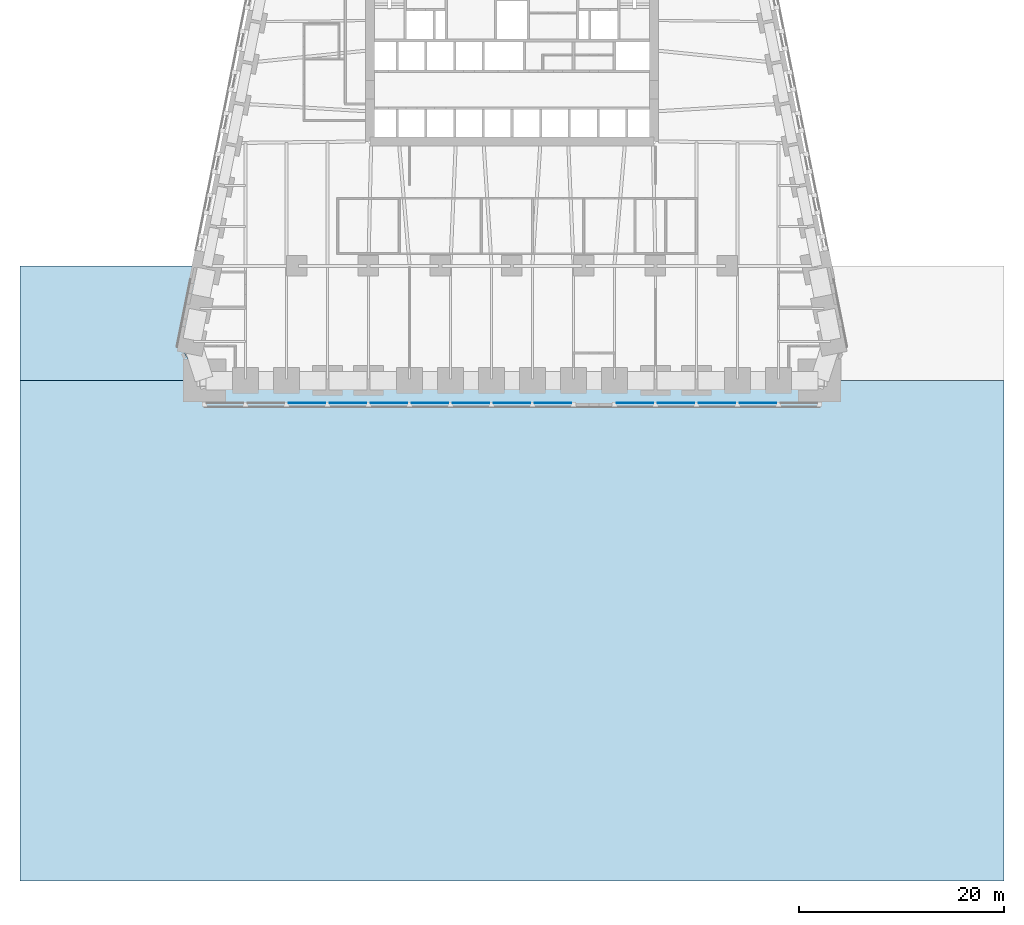
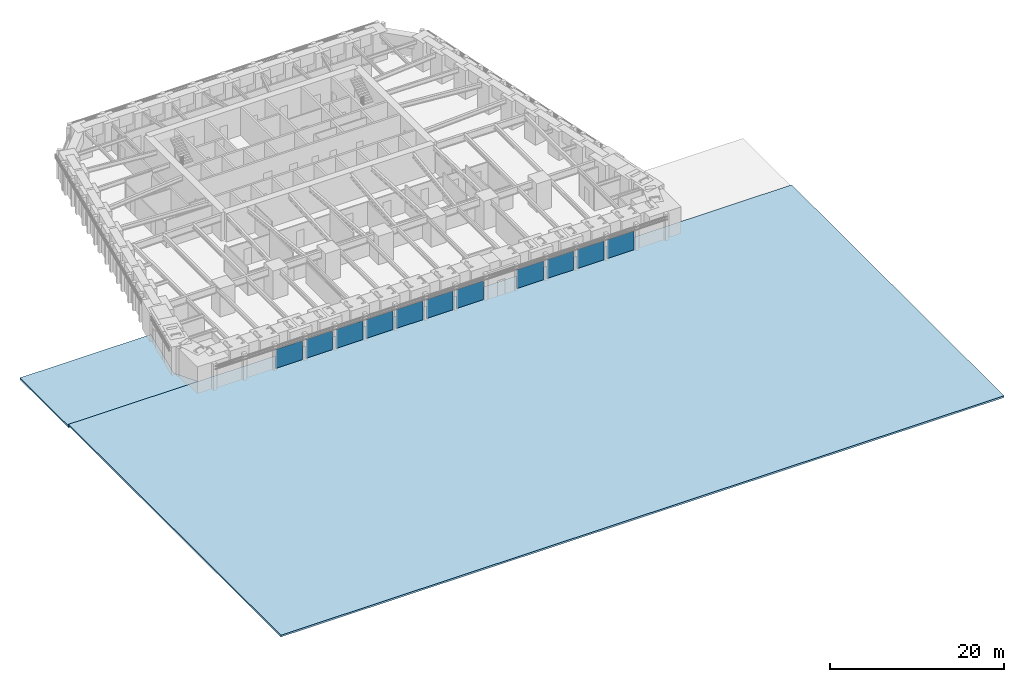
# One storey, part 6 of 18: 11 plates, 2 slabs, 2 elements without a shape of their own.
"""IFC4 building model written with IfcOpenShell, lengths in metres."""

from ifc_helpers import new_model, si_unit, direction, frame, origin, origin_2d, place, context, subcontext, project, spatial, polyline, rectangle, outline, extrude, material, layer, layer_set, type_object, element, aggregate, save


model = new_model("IFC4")

# Units and contexts
model_context = context("Model", 3, precision=1e-05, world=origin(), true_north=direction((0.0, 1.0)))
body_context = subcontext(model_context, "Body", "Model", "MODEL_VIEW")
ifc_project = project(units=[si_unit("LENGTHUNIT", "METRE"), si_unit("AREAUNIT", "SQUARE_METRE"), si_unit("VOLUMEUNIT", "CUBIC_METRE"), si_unit("PLANEANGLEUNIT", "RADIAN"), si_unit("MASSUNIT", "GRAM", prefix="KILO")], contexts=[model_context])

# Site, building, storey
site_placement = place(None, origin())
site = spatial("IfcSite", under=ifc_project, at=site_placement, CompositionType="ELEMENT")
building_placement = place(site_placement, origin())
building = spatial("IfcBuilding", under=site, at=building_placement, Name="Isbrekke Arena Tower", CompositionType="ELEMENT")
storey_placement = place(building_placement, frame((0.0, 0.0, 28.0)))
storey = spatial("IfcBuildingStorey", under=building, at=storey_placement, Name="L04", CompositionType="ELEMENT", Elevation=28.0)

# Curtain wall, plates
ifc_material_1 = material(Name="Glazed aluminium curtain wall", Category="aluminium")
curtain_wall_type = type_object("IfcCurtainWallType", Name="CWL TOWER CURTAIN WALL LOW ZONE", PredefinedType="USERDEFINED", material=ifc_material_1)
curtain_wall_1_placement = place(storey_placement, origin())
curtain_wall_1 = element("IfcCurtainWall", 1, at=curtain_wall_1_placement, inside=storey, type_object=curtain_wall_type, Name="CWL curtain wall L04-S", ObjectType="TOWER CURTAIN WALL LOW ZONE", PredefinedType="USERDEFINED")
ifc_material_2 = material(Name="Triple-glazed clear glass unit", Category="glass")
ifc_layer_1 = layer(ifc_material_2, 0.031982421875)
ifc_layer_set_1 = layer_set([ifc_layer_1], Name="CWL-P VISION PANEL")
plate_type = type_object("IfcPlateType", Name="CWL-P VISION PANEL", PredefinedType="CURTAIN_PANEL", material=ifc_layer_set_1)
plate_1_placement = place(storey_placement, frame((-20.0, -19.375, 0.02001953125), z_axis=(0.0, 0.0, 1.0), x_axis=(1.0, 0.0, 0.0)))
plate_1 = element("IfcPlate", 2, at=plate_1_placement, type_object=plate_type, Name="CWL-P panel 3", PredefinedType="CURTAIN_PANEL", context=body_context, shape_type="SweptSolid", body=[
    extrude(rectangle(XDim=3.550048828125, YDim=0.031982421875, at=origin_2d()), origin(), (0.0, 0.0, 1.0), 2.8798828125),
])
plate_2_placement = place(storey_placement, frame((-16.0, -19.375, 0.02001953125), z_axis=(0.0, 0.0, 1.0), x_axis=(1.0, 0.0, 0.0)))
plate_2 = element("IfcPlate", 3, at=plate_2_placement, type_object=plate_type, Name="CWL-P panel 4", PredefinedType="CURTAIN_PANEL", context=body_context, shape_type="SweptSolid", body=[
    extrude(rectangle(XDim=3.550048828125, YDim=0.031982421875, at=origin_2d()), origin(), (0.0, 0.0, 1.0), 2.8798828125),
])
plate_3_placement = place(storey_placement, frame((-12.0, -19.375, 0.02001953125), z_axis=(0.0, 0.0, 1.0), x_axis=(1.0, 0.0, 0.0)))
plate_3 = element("IfcPlate", 4, at=plate_3_placement, type_object=plate_type, Name="CWL-P panel 5", PredefinedType="CURTAIN_PANEL", context=body_context, shape_type="SweptSolid", body=[
    extrude(rectangle(XDim=3.550048828125, YDim=0.031982421875, at=origin_2d()), origin(), (0.0, 0.0, 1.0), 2.8798828125),
])
plate_4_placement = place(storey_placement, frame((-8.0, -19.375, 0.02001953125), z_axis=(0.0, 0.0, 1.0), x_axis=(1.0, 0.0, 0.0)))
plate_4 = element("IfcPlate", 5, at=plate_4_placement, type_object=plate_type, Name="CWL-P panel 6", PredefinedType="CURTAIN_PANEL", context=body_context, shape_type="SweptSolid", body=[
    extrude(rectangle(XDim=3.550048828125, YDim=0.031982421875, at=origin_2d()), origin(), (0.0, 0.0, 1.0), 2.8798828125),
])
plate_5_placement = place(storey_placement, frame((-4.0, -19.375, 0.02001953125), z_axis=(0.0, 0.0, 1.0), x_axis=(1.0, 0.0, 0.0)))
plate_5 = element("IfcPlate", 6, at=plate_5_placement, type_object=plate_type, Name="CWL-P panel 7", PredefinedType="CURTAIN_PANEL", context=body_context, shape_type="SweptSolid", body=[
    extrude(rectangle(XDim=3.550048828125, YDim=0.031982421875, at=origin_2d()), origin(), (0.0, 0.0, 1.0), 2.8798828125),
])
plate_6_placement = place(storey_placement, frame((0.0, -19.375, 0.02001953125), z_axis=(0.0, 0.0, 1.0), x_axis=(1.0, 0.0, 0.0)))
plate_6 = element("IfcPlate", 7, at=plate_6_placement, type_object=plate_type, Name="CWL-P panel 8", PredefinedType="CURTAIN_PANEL", context=body_context, shape_type="SweptSolid", body=[
    extrude(rectangle(XDim=3.550048828125, YDim=0.031982421875, at=origin_2d()), origin(), (0.0, 0.0, 1.0), 2.8798828125),
])
plate_7_placement = place(storey_placement, frame((4.0, -19.375, 0.02001953125), z_axis=(0.0, 0.0, 1.0), x_axis=(1.0, 0.0, 0.0)))
plate_7 = element("IfcPlate", 8, at=plate_7_placement, type_object=plate_type, Name="CWL-P panel 9", PredefinedType="CURTAIN_PANEL", context=body_context, shape_type="SweptSolid", body=[
    extrude(rectangle(XDim=3.550048828125, YDim=0.031982421875, at=origin_2d()), origin(), (0.0, 0.0, 1.0), 2.8798828125),
])
aggregate(curtain_wall_1, [plate_1, plate_2, plate_3, plate_4, plate_5, plate_6, plate_7])

curtain_wall_2_placement = place(storey_placement, origin())
curtain_wall_2 = element("IfcCurtainWall", 9, at=curtain_wall_2_placement, inside=storey, type_object=curtain_wall_type, Name="CWL curtain wall L04-S2", ObjectType="TOWER CURTAIN WALL LOW ZONE", PredefinedType="USERDEFINED")
plate_8_placement = place(storey_placement, frame((12.0, -19.375, 0.02001953125), z_axis=(0.0, 0.0, 1.0), x_axis=(1.0, 0.0, 0.0)))
plate_8 = element("IfcPlate", 10, at=plate_8_placement, type_object=plate_type, Name="CWL-P panel 1", PredefinedType="CURTAIN_PANEL", context=body_context, shape_type="SweptSolid", body=[
    extrude(rectangle(XDim=3.550048828125, YDim=0.031982421875, at=origin_2d()), origin(), (0.0, 0.0, 1.0), 2.8798828125),
])
plate_9_placement = place(storey_placement, frame((16.0, -19.375, 0.02001953125), z_axis=(0.0, 0.0, 1.0), x_axis=(1.0, 0.0, 0.0)))
plate_9 = element("IfcPlate", 11, at=plate_9_placement, type_object=plate_type, Name="CWL-P panel 2", PredefinedType="CURTAIN_PANEL", context=body_context, shape_type="SweptSolid", body=[
    extrude(rectangle(XDim=3.550048828125, YDim=0.031982421875, at=origin_2d()), origin(), (0.0, 0.0, 1.0), 2.8798828125),
])
plate_10_placement = place(storey_placement, frame((20.0, -19.375, 0.02001953125), z_axis=(0.0, 0.0, 1.0), x_axis=(1.0, 0.0, 0.0)))
plate_10 = element("IfcPlate", 12, at=plate_10_placement, type_object=plate_type, Name="CWL-P panel 3", PredefinedType="CURTAIN_PANEL", context=body_context, shape_type="SweptSolid", body=[
    extrude(rectangle(XDim=3.550048828125, YDim=0.031982421875, at=origin_2d()), origin(), (0.0, 0.0, 1.0), 2.8798828125),
])
plate_11_placement = place(storey_placement, frame((24.0, -19.375, 0.02001953125), z_axis=(0.0, 0.0, 1.0), x_axis=(1.0, 0.0, 0.0)))
plate_11 = element("IfcPlate", 13, at=plate_11_placement, type_object=plate_type, Name="CWL-P panel 4", PredefinedType="CURTAIN_PANEL", context=body_context, shape_type="SweptSolid", body=[
    extrude(rectangle(XDim=3.550048828125, YDim=0.031982421875, at=origin_2d()), origin(), (0.0, 0.0, 1.0), 2.8798828125),
])
aggregate(curtain_wall_2, [plate_8, plate_9, plate_10, plate_11])

# Slabs
ifc_material_3 = material(Name="Concrete B35 (C35/45)", Category="concrete")
ifc_layer_2 = layer(ifc_material_3, 0.25)
ifc_layer_set_2 = layer_set([ifc_layer_2], Name="RS2 ARENA ROOF DECK 250")
slab_type = type_object("IfcSlabType", Name="RS2 ARENA ROOF DECK 250", PredefinedType="ROOF", material=ifc_layer_set_2)
slab_1_placement = place(storey_placement, origin())
element("IfcSlab", 14, at=slab_1_placement, inside=storey, type_object=slab_type, Name="RS2 arena roof deck, maintenance access only", PredefinedType="ROOF", context=body_context, shape_type="SweptSolid", body=[
    extrude(outline(polyline([(-48.0, -66.0), (48.0, -66.0), (48.0, -17.175048828125), (-48.0, -17.175048828125), (-48.0, -66.0)])), origin(), (0.0, 0.0, 1.0), 0.25),
])
slab_2_placement = place(storey_placement, frame((0.0, 0.0, -0.25)))
element("IfcSlab", 15, at=slab_2_placement, inside=storey, type_object=slab_type, Name="RS2 arena roof deck W, maintenance access only", PredefinedType="ROOF", context=body_context, shape_type="SweptSolid", body=[
    extrude(outline(polyline([(-32.199951171875, -14.0), (-30.60009765625, -6.0), (-48.0, -6.0), (-48.0, -17.175048828125), (-30.453857421875, -17.175048828125), (-32.199951171875, -14.0)])), origin(), (0.0, 0.0, 1.0), 0.25),
])

save(model, "model.ifc")
